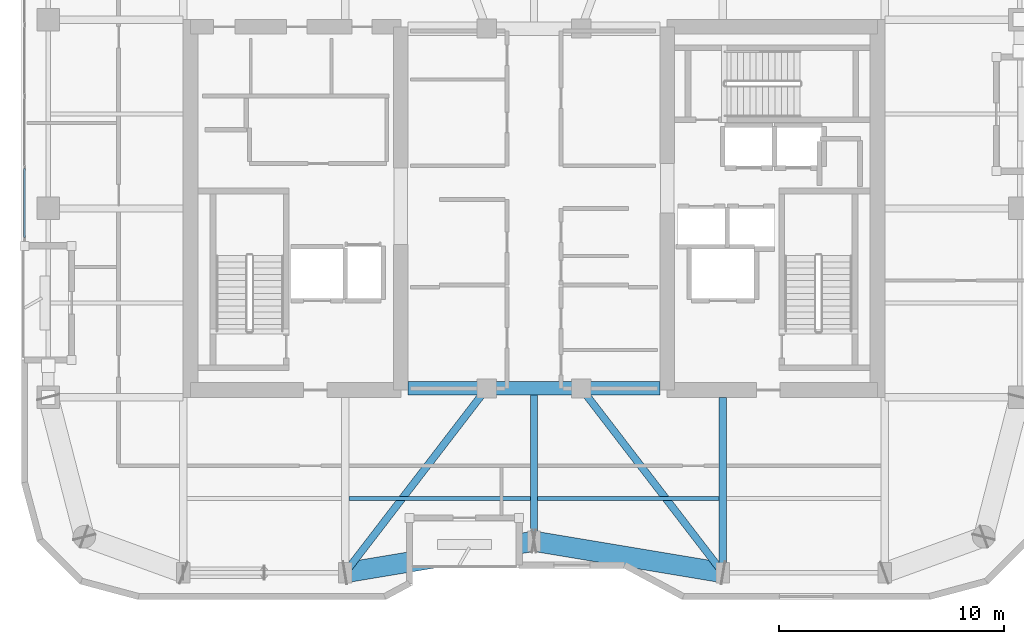
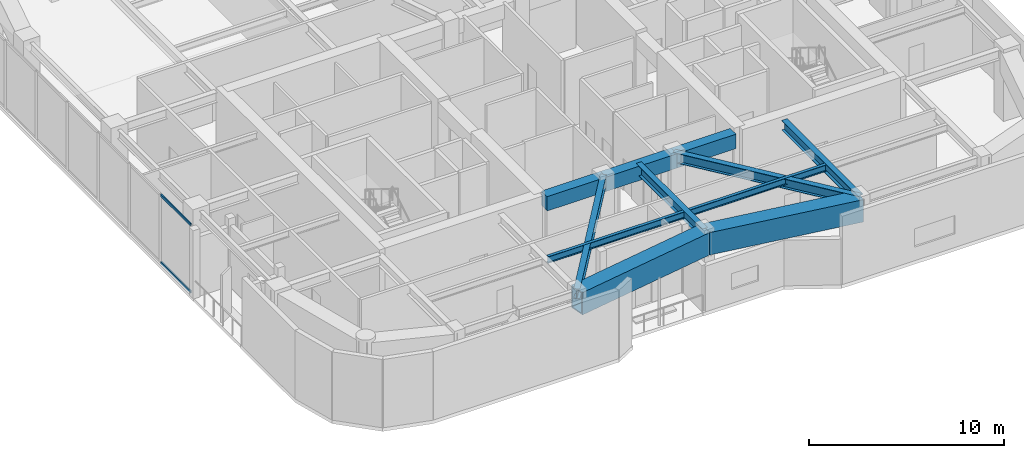
# One storey, part 3 of 19: 11 beams, 2 members, 1 element without a shape of its own.
"""IFC4 building model written with IfcOpenShell, lengths in metres."""

from ifc_helpers import new_model, si_unit, direction, frame, origin, origin_2d, place, context, subcontext, project, spatial, rectangle, hollow_rectangle, i_section, extrude, material, layer, layer_set, material_profile, profile_set, type_object, element, aggregate, save


model = new_model("IFC4")

# Units and contexts
model_context = context("Model", 3, precision=1e-05, world=origin(), true_north=direction((0.0, 1.0)))
body_context = subcontext(model_context, "Body", "Model", "MODEL_VIEW")
ifc_project = project(units=[si_unit("LENGTHUNIT", "METRE"), si_unit("AREAUNIT", "SQUARE_METRE"), si_unit("VOLUMEUNIT", "CUBIC_METRE"), si_unit("PLANEANGLEUNIT", "RADIAN"), si_unit("MASSUNIT", "GRAM", prefix="KILO")], contexts=[model_context])

# Site, building, storey
site_placement = place(None, origin())
site = spatial("IfcSite", under=ifc_project, at=site_placement, CompositionType="ELEMENT")
building_placement = place(site_placement, origin())
building = spatial("IfcBuilding", under=site, at=building_placement, Name="Kiyonajd Concourse Tower", CompositionType="ELEMENT")
storey_placement = place(building_placement, frame((0.0, 0.0, 238.800048828125)))
storey = spatial("IfcBuildingStorey", under=building, at=storey_placement, Name="L60", CompositionType="ELEMENT", Elevation=238.800048828125)

# Beams
ifc_material_1 = material(Name="Concrete C60/75", Category="concrete")
ifc_material_profile_1 = material_profile(ifc_material_1, rectangle(XDim=0.60009765625, YDim=0.89990234375, at=origin_2d()), Name="RCBM-600x900")
ifc_profile_set_1 = profile_set([ifc_material_profile_1], Name="Concrete C60/75")
beam_type_1 = type_object("IfcBeamType", Name="BM-COUP-900", PredefinedType="LINTEL", material=ifc_profile_set_1)
beam_1_placement = place(storey_placement, frame((42.39990234375, 28.0, 3.829833984375), z_axis=(1.0, 0.0, 0.0), x_axis=(0.0, 1.0, 0.0)))
element("IfcBeam", 1, at=beam_1_placement, inside=storey, type_object=beam_type_1, Name="L60 Core Coupling Beam S1", PredefinedType="LINTEL", context=body_context, shape_type="SweptSolid", body=[
    extrude(rectangle(XDim=0.60009765625, YDim=0.89990234375, at=origin_2d()), origin(), (0.0, 0.0, 1.0), 3.5),
])
beam_2_placement = place(storey_placement, frame((45.89990234375, 28.0, 3.829833984375), z_axis=(1.0, 0.0, 0.0), x_axis=(0.0, 1.0, 0.0)))
element("IfcBeam", 2, at=beam_2_placement, inside=storey, type_object=beam_type_1, Name="L60 Core Coupling Beam S2", PredefinedType="LINTEL", context=body_context, shape_type="SweptSolid", body=[
    extrude(rectangle(XDim=0.60009765625, YDim=0.89990234375, at=origin_2d()), origin(), (0.0, 0.0, 1.0), 4.2001953125),
])
beam_3_placement = place(storey_placement, frame((50.10009765625, 28.0, 3.829833984375), z_axis=(1.0, 0.0, 0.0), x_axis=(0.0, 1.0, 0.0)))
element("IfcBeam", 3, at=beam_3_placement, inside=storey, type_object=beam_type_1, Name="L60 Core Coupling Beam S3", PredefinedType="LINTEL", context=body_context, shape_type="SweptSolid", body=[
    extrude(rectangle(XDim=0.60009765625, YDim=0.89990234375, at=origin_2d()), origin(), (0.0, 0.0, 1.0), 3.5),
])
ifc_material_2 = material(Name="Steel ASTM A992 Grade 50", Category="steel")
ifc_material_profile_2 = material_profile(ifc_material_2, i_section(OverallWidth=0.180908203125, OverallDepth=0.4169921875, WebThickness=0.010986328125, FlangeThickness=0.018310546875, at=origin_2d()), Name="W410X85")
ifc_profile_set_2 = profile_set([ifc_material_profile_2], Name="Steel ASTM A992 Grade 50")
beam_type_2 = type_object("IfcBeamType", Name="BM-JST-410", PredefinedType="JOIST", material=ifc_profile_set_2)
for number, where, z_axis, x_axis, name in (
    (4, (39.761962890625, 23.10009765625, 4.071533203125), (1.0, 0.0, 0.0), (0.0, 1.0, 0.0), "L60 Secondary Floor Joist"),
    (5, (48.162109375, 23.10009765625, 4.071533203125), (1.0, 0.0, 0.0), (0.0, 1.0, 0.0), "L60 Secondary Floor Joist"),
):
    element("IfcBeam", number, at=place(storey_placement, frame(where, z_axis=z_axis, x_axis=x_axis)), inside=storey, type_object=beam_type_2, Name=name, PredefinedType="JOIST", context=body_context, shape_type="SweptSolid", body=[
        extrude(i_section(OverallWidth=0.180908203125, OverallDepth=0.4169921875, WebThickness=0.010986328125, FlangeThickness=0.018310546875, at=origin_2d()), origin(), (0.0, 0.0, 1.0), 8.075927734375),
    ])
ifc_material_profile_3 = material_profile(ifc_material_2, i_section(OverallWidth=0.326904296875, OverallDepth=0.6220703125, WebThickness=0.015380859375, FlangeThickness=0.0244140625, at=origin_2d()), Name="W610X195")
ifc_profile_set_3 = profile_set([ifc_material_profile_3], Name="Steel ASTM A992 Grade 50")
beam_type_3 = type_object("IfcBeamType", Name="BM-TWR-610A", PredefinedType="BEAM", material=ifc_profile_set_3)
for number, where, z_axis, x_axis, name in (
    (6, (39.60009765625, 19.800048828125, 3.968994140625), (0.609233709922, 0.792990722956, 0.0), (-0.792990722956, 0.609233709922, 0.0), "L60 Core Tie Girder"),
    (7, (50.10009765625, 28.0, 3.968994140625), (0.609233709922, -0.792990722956, 0.0), (0.792990722956, 0.609233709922, 0.0), "L60 Core Tie Girder"),
):
    element("IfcBeam", number, at=place(storey_placement, frame(where, z_axis=z_axis, x_axis=x_axis)), inside=storey, type_object=beam_type_3, Name=name, PredefinedType="BEAM", context=body_context, shape_type="SweptSolid", body=[
        extrude(i_section(OverallWidth=0.326904296875, OverallDepth=0.6220703125, WebThickness=0.015380859375, FlangeThickness=0.0244140625, at=origin_2d()), origin(), (0.0, 0.0, 1.0), 10.340576171875),
    ])
ifc_material_profile_4 = material_profile(ifc_material_2, i_section(OverallWidth=0.323974609375, OverallDepth=0.611083984375, WebThickness=0.0126953125, FlangeThickness=0.01904296875, at=origin_2d()), Name="W610X155")
ifc_profile_set_4 = profile_set([ifc_material_profile_4], Name="Steel ASTM A992 Grade 50")
beam_type_4 = type_object("IfcBeamType", Name="BM-TWR-610B", PredefinedType="BEAM", material=ifc_profile_set_4)
beam_4_placement = place(storey_placement, frame((56.39990234375, 19.800048828125, 3.974365234375), z_axis=(0.0, 1.0, 0.0), x_axis=(-1.0, 0.0, 0.0)))
element("IfcBeam", 8, at=beam_4_placement, inside=storey, type_object=beam_type_4, Name="L60 South Lease Girder", PredefinedType="BEAM", context=body_context, shape_type="SweptSolid", body=[
    extrude(i_section(OverallWidth=0.323974609375, OverallDepth=0.611083984375, WebThickness=0.0126953125, FlangeThickness=0.01904296875, at=origin_2d()), origin(), (0.0, 0.0, 1.0), 7.800048828125),
])
beam_5_placement = place(storey_placement, frame((48.0, 21.199951171875, 3.974365234375), z_axis=(0.0, 1.0, 0.0), x_axis=(-1.0, 0.0, 0.0)))
element("IfcBeam", 9, at=beam_5_placement, inside=storey, type_object=beam_type_4, Name="L60 South Ribbon Girder", PredefinedType="BEAM", context=body_context, shape_type="SweptSolid", body=[
    extrude(i_section(OverallWidth=0.323974609375, OverallDepth=0.611083984375, WebThickness=0.0126953125, FlangeThickness=0.01904296875, at=origin_2d()), origin(), (0.0, 0.0, 1.0), 6.800048828125),
])
ifc_material_3 = material(Name="Steel ASTM A572 Grade 50", Category="steel")
ifc_material_profile_5 = material_profile(ifc_material_3, hollow_rectangle(XDim=0.89990234375, YDim=1.39990234375, WallThickness=0.070068359375, at=origin_2d()), Name="BOX-1400x900x70")
ifc_profile_set_5 = profile_set([ifc_material_profile_5], Name="Steel ASTM A572 Grade 50")
beam_type_5 = type_object("IfcBeamType", Name="BM-XFER-1400", PredefinedType="BEAM", material=ifc_profile_set_5)
for number, where, z_axis, x_axis, name in (
    (10, (39.60009765625, 19.800048828125, 3.579833984375), (0.986395473479, 0.164389689151, 0.0), (-0.164389689151, 0.986395473479, 0.0), "L60 Perimeter Bundled Tube Spandrel"),
    (11, (48.0, 21.199951171875, 3.579833984375), (0.986395473479, -0.164389689151, 0.0), (0.164389689151, 0.986395473479, 0.0), "L60 Perimeter Bundled Tube Spandrel"),
):
    element("IfcBeam", number, at=place(storey_placement, frame(where, z_axis=z_axis, x_axis=x_axis)), inside=storey, type_object=beam_type_5, Name=name, PredefinedType="BEAM", context=body_context, shape_type="SweptSolid", body=[
        extrude(hollow_rectangle(XDim=0.89990234375, YDim=1.39990234375, WallThickness=0.070068359375, at=origin_2d()), origin(), (0.0, 0.0, 1.0), 8.515869140625),
    ])

# Curtain wall, members
ifc_material_4 = material(Name="Thermally Broken Anodised Aluminium", Category="aluminium")
ifc_layer = layer(ifc_material_4, 0.179931640625)
ifc_layer_set = layer_set([ifc_layer], Name="Thermally Broken Anodised Aluminium")
curtain_wall_type = type_object("IfcCurtainWallType", Name="CW-SYS-05", PredefinedType="NOTDEFINED", material=ifc_layer_set)
curtain_wall_placement = place(storey_placement, origin())
curtain_wall = element("IfcCurtainWall", 12, at=curtain_wall_placement, inside=storey, type_object=curtain_wall_type, Name="L60 Unitised Curtain Wall CW5", PredefinedType="NOTDEFINED")
ifc_material_profile_6 = material_profile(ifc_material_4, hollow_rectangle(XDim=0.074951171875, YDim=0.159912109375, WallThickness=0.0048828125, at=origin_2d()), Name="TRAN-75x160")
ifc_profile_set_6 = profile_set([ifc_material_profile_6], Name="Thermally Broken Anodised Aluminium")
member_type = type_object("IfcMemberType", Name="MB-CW-TRAN2", PredefinedType="USERDEFINED", material=ifc_profile_set_6)
member_1_placement = place(storey_placement, frame((25.340087890625, 34.705078125, 0.037353515625), z_axis=(0.0, 1.0, 0.0), x_axis=(-1.0, 0.0, 0.0)))
member_1 = element("IfcMember", 13, at=member_1_placement, type_object=member_type, Name="CW5 transom 1.1", ObjectType="TRANSOM", PredefinedType="USERDEFINED", context=body_context, shape_type="SweptSolid", body=[
    extrude(hollow_rectangle(XDim=0.074951171875, YDim=0.159912109375, WallThickness=0.0048828125, at=origin_2d()), origin(), (0.0, 0.0, 1.0), 3.067626953125),
])
member_2_placement = place(storey_placement, frame((25.340087890625, 34.705078125, 4.242431640625), z_axis=(0.0, 1.0, 0.0), x_axis=(-1.0, 0.0, 0.0)))
member_2 = element("IfcMember", 14, at=member_2_placement, type_object=member_type, Name="CW5 transom 1.2", ObjectType="TRANSOM", PredefinedType="USERDEFINED", context=body_context, shape_type="SweptSolid", body=[
    extrude(hollow_rectangle(XDim=0.074951171875, YDim=0.159912109375, WallThickness=0.0048828125, at=origin_2d()), origin(), (0.0, 0.0, 1.0), 3.067626953125),
])
aggregate(curtain_wall, [member_1, member_2])

save(model, "model.ifc")
